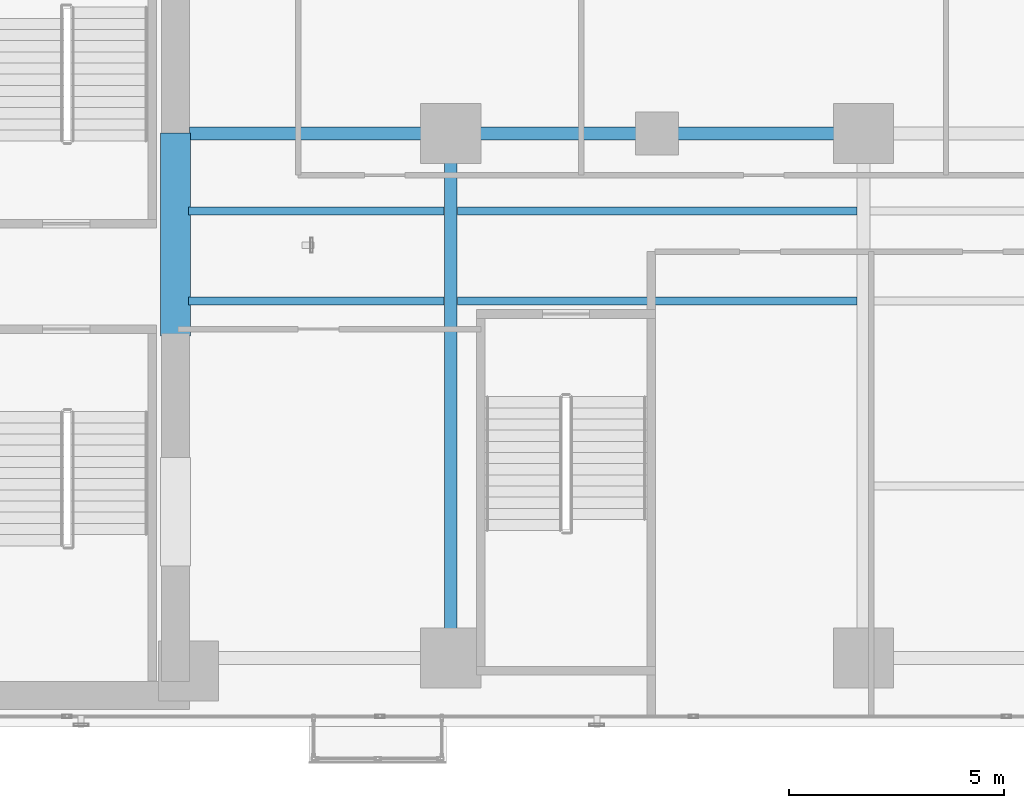
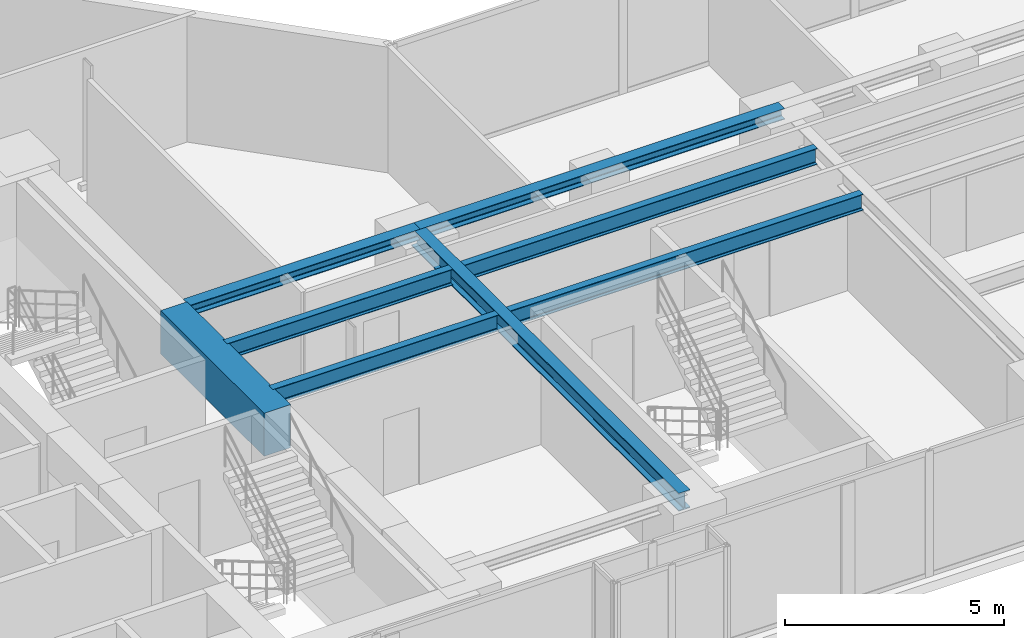
# One storey, part 5 of 25: 8 beams.
"""IFC4 building model written with IfcOpenShell, lengths in metres."""

from ifc_helpers import new_model, si_unit, direction, frame, origin, origin_2d, place, context, subcontext, project, spatial, rectangle, i_section, extrude, material, material_profile, profile_set, type_object, element, save


model = new_model("IFC4")

# Units and contexts
model_context = context("Model", 3, precision=1e-05, world=origin(), true_north=direction((0.0, 1.0)))
body_context = subcontext(model_context, "Body", "Model", "MODEL_VIEW")
ifc_project = project(units=[si_unit("LENGTHUNIT", "METRE"), si_unit("AREAUNIT", "SQUARE_METRE"), si_unit("VOLUMEUNIT", "CUBIC_METRE"), si_unit("PLANEANGLEUNIT", "RADIAN"), si_unit("MASSUNIT", "GRAM", prefix="KILO")], contexts=[model_context])

# Site, building, storey
site_placement = place(None, origin())
site = spatial("IfcSite", under=ifc_project, at=site_placement, CompositionType="ELEMENT")
building_placement = place(site_placement, origin())
building = spatial("IfcBuilding", under=site, at=building_placement, Name="Kolvaren Waterfront Exchange", CompositionType="ELEMENT")
storey_placement = place(building_placement, frame((0.0, 0.0, 106.89990234375)))
storey = spatial("IfcBuildingStorey", under=building, at=storey_placement, Name="L27", CompositionType="ELEMENT", Elevation=106.89990234375)

# Beams
ifc_material_1 = material(Name="Steel S355", Category="steel")
ifc_material_profile_1 = material_profile(ifc_material_1, i_section(OverallWidth=0.300048828125, OverallDepth=0.300048828125, WebThickness=0.010986328125, FlangeThickness=0.01904296875, FilletRadius=0.027099609375, at=origin_2d()), Name="HEB300")
ifc_profile_set_1 = profile_set([ifc_material_profile_1], Name="Steel S355")
beam_type_1 = type_object("IfcBeamType", Name="STR-BM-HEB300", PredefinedType="SPANDREL", material=ifc_profile_set_1)
beam_1_placement = place(storey_placement, frame((21.125, 17.39990234375, 3.35009765625), z_axis=(1.0, 0.0, 0.0), x_axis=(0.0, 1.0, 0.0)))
element("IfcBeam", 1, at=beam_1_placement, inside=storey, type_object=beam_type_1, Name="L27 east-arm spandrel N1", PredefinedType="SPANDREL", context=body_context, shape_type="SweptSolid", body=[
    extrude(i_section(OverallWidth=0.300048828125, OverallDepth=0.300048828125, WebThickness=0.010986328125, FlangeThickness=0.01904296875, FilletRadius=0.027099609375, at=origin_2d()), origin(), (0.0, 0.0, 1.0), 6.074951171875),
])
beam_2_placement = place(storey_placement, frame((27.199951171875, 17.39990234375, 3.35009765625), z_axis=(1.0, 0.0, 0.0), x_axis=(0.0, 1.0, 0.0)))
element("IfcBeam", 2, at=beam_2_placement, inside=storey, type_object=beam_type_1, Name="L27 east-arm spandrel N2", PredefinedType="SPANDREL", context=body_context, shape_type="SweptSolid", body=[
    extrude(i_section(OverallWidth=0.300048828125, OverallDepth=0.300048828125, WebThickness=0.010986328125, FlangeThickness=0.01904296875, FilletRadius=0.027099609375, at=origin_2d()), origin(), (0.0, 0.0, 1.0), 9.60009765625),
])
ifc_material_profile_2 = material_profile(ifc_material_1, i_section(OverallWidth=0.300048828125, OverallDepth=0.5, WebThickness=0.014404296875, FlangeThickness=0.028076171875, FilletRadius=0.027099609375, at=origin_2d()), Name="HEB500")
ifc_profile_set_2 = profile_set([ifc_material_profile_2], Name="Steel S355")
beam_type_2 = type_object("IfcBeamType", Name="STR-BM-HEB500", PredefinedType="BEAM", material=ifc_profile_set_2)
beam_3_placement = place(storey_placement, frame((27.199951171875, 5.199951171875, 3.25), z_axis=(0.0, 1.0, 0.0), x_axis=(-1.0, 0.0, 0.0)))
element("IfcBeam", 3, at=beam_3_placement, inside=storey, type_object=beam_type_2, Name="L27 east-arm transverse girder X27", PredefinedType="BEAM", context=body_context, shape_type="SweptSolid", body=[
    extrude(i_section(OverallWidth=0.300048828125, OverallDepth=0.5, WebThickness=0.014404296875, FlangeThickness=0.028076171875, FilletRadius=0.027099609375, at=origin_2d()), origin(), (0.0, 0.0, 1.0), 12.199951171875),
])
ifc_material_profile_3 = material_profile(ifc_material_1, i_section(OverallWidth=0.18994140625, OverallDepth=0.449951171875, WebThickness=0.009521484375, FlangeThickness=0.0146484375, FilletRadius=0.02099609375, at=origin_2d()), Name="IPE450")
ifc_profile_set_3 = profile_set([ifc_material_profile_3], Name="Steel S355")
beam_type_3 = type_object("IfcBeamType", Name="STR-BM-IPE450", PredefinedType="JOIST", material=ifc_profile_set_3)
for number, where, z_axis, x_axis, name in (
    (4, (21.10009765625, 13.5, 3.275146484375), (1.0, 0.0, 0.0), (0.0, 1.0, 0.0), "L27 east-arm composite joist 1A"),
    (5, (21.10009765625, 15.60009765625, 3.275146484375), (1.0, 0.0, 0.0), (0.0, 1.0, 0.0), "L27 east-arm composite joist 1C"),
):
    element("IfcBeam", number, at=place(storey_placement, frame(where, z_axis=z_axis, x_axis=x_axis)), inside=storey, type_object=beam_type_3, Name=name, PredefinedType="JOIST", context=body_context, shape_type="SweptSolid", body=[
        extrude(i_section(OverallWidth=0.18994140625, OverallDepth=0.449951171875, WebThickness=0.009521484375, FlangeThickness=0.0146484375, FilletRadius=0.02099609375, at=origin_2d()), origin(), (0.0, 0.0, 1.0), 5.947998046875),
    ])
for number, where, z_axis, x_axis, name in (
    (6, (27.35205078125, 13.5, 3.275146484375), (1.0, 0.0, 0.0), (0.0, 1.0, 0.0), "L27 east-arm composite joist 2A"),
    (7, (27.35205078125, 15.60009765625, 3.275146484375), (1.0, 0.0, 0.0), (0.0, 1.0, 0.0), "L27 east-arm composite joist 2C"),
):
    element("IfcBeam", number, at=place(storey_placement, frame(where, z_axis=z_axis, x_axis=x_axis)), inside=storey, type_object=beam_type_3, Name=name, PredefinedType="JOIST", context=body_context, shape_type="SweptSolid", body=[
        extrude(i_section(OverallWidth=0.18994140625, OverallDepth=0.449951171875, WebThickness=0.009521484375, FlangeThickness=0.0146484375, FilletRadius=0.02099609375, at=origin_2d()), origin(), (0.0, 0.0, 1.0), 9.2958984375),
    ])
ifc_material_2 = material(Name="Concrete C70/85", Category="concrete")
ifc_material_profile_4 = material_profile(ifc_material_2, rectangle(XDim=0.699951171875, YDim=1.199951171875, at=origin_2d()), Name="RC-CB-1200x700")
ifc_profile_set_4 = profile_set([ifc_material_profile_4], Name="Concrete C70/85")
beam_type_4 = type_object("IfcBeamType", Name="STR-CB-1200", PredefinedType="SPANDREL", material=ifc_profile_set_4)
beam_4_placement = place(storey_placement, frame((20.800048828125, 12.68994140625, 2.900146484375), z_axis=(0.0, 1.0, 0.0), x_axis=(-1.0, 0.0, 0.0)))
element("IfcBeam", 8, at=beam_4_placement, inside=storey, type_object=beam_type_4, Name="L27 core coupling beam 2", PredefinedType="SPANDREL", context=body_context, shape_type="SweptSolid", body=[
    extrude(rectangle(XDim=0.699951171875, YDim=1.199951171875, at=origin_2d()), origin(), (0.0, 0.0, 1.0), 4.719970703125),
])

save(model, "model.ifc")
